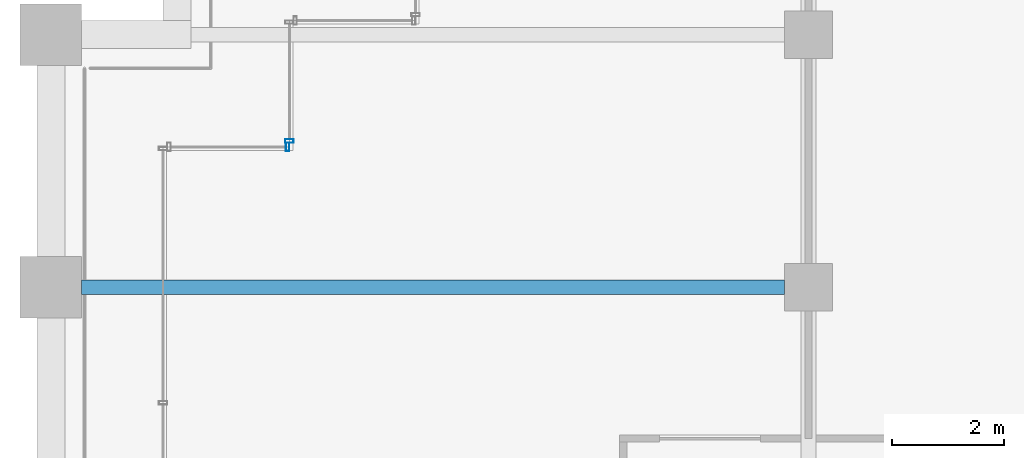
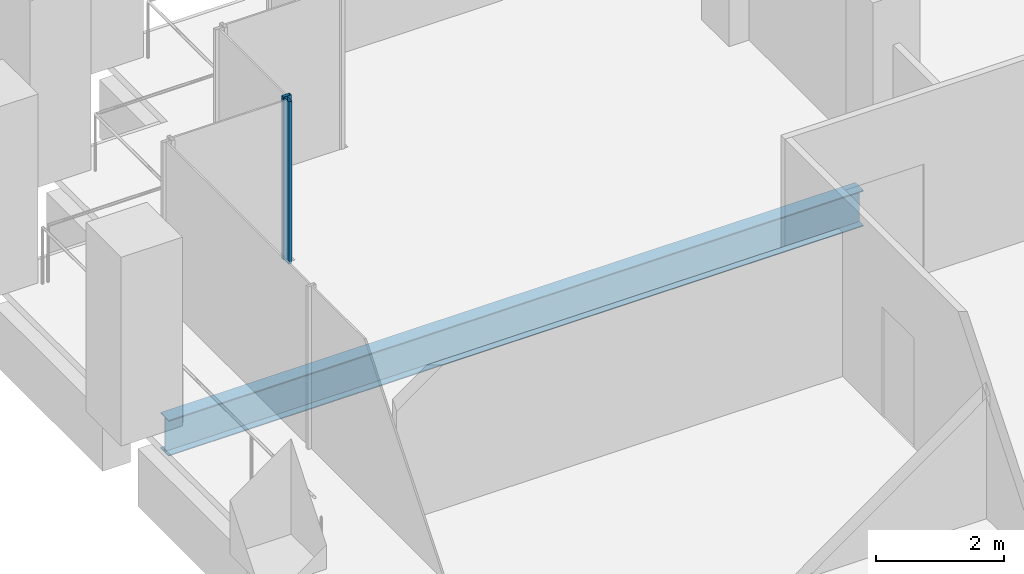
# One storey, part 24 of 56: 2 members, 1 beam, 2 elements without a shape of their own.
"""IFC4 building model written with IfcOpenShell, lengths in metres."""

from ifc_helpers import new_model, si_unit, direction, frame, origin, origin_2d, place, context, subcontext, project, spatial, hollow_rectangle, i_section, extrude, material, material_profile, profile_set, type_object, element, aggregate, save


model = new_model("IFC4")

# Units and contexts
model_context = context("Model", 3, precision=1e-05, world=origin(), true_north=direction((0.0, 1.0)))
body_context = subcontext(model_context, "Body", "Model", "MODEL_VIEW")
ifc_project = project(units=[si_unit("LENGTHUNIT", "METRE"), si_unit("AREAUNIT", "SQUARE_METRE"), si_unit("VOLUMEUNIT", "CUBIC_METRE"), si_unit("PLANEANGLEUNIT", "RADIAN"), si_unit("MASSUNIT", "GRAM", prefix="KILO")], contexts=[model_context])

# Site, building, storey
site_placement = place(None, origin())
site = spatial("IfcSite", under=ifc_project, at=site_placement, CompositionType="ELEMENT")
building_placement = place(site_placement, origin())
building = spatial("IfcBuilding", under=site, at=building_placement, Name="Altepetl Exchange Towers", CompositionType="ELEMENT")
storey_placement = place(building_placement, frame((0.0, 0.0, 72.60009765625)))
storey = spatial("IfcBuildingStorey", under=building, at=storey_placement, Name="L17", CompositionType="ELEMENT", Elevation=72.60009765625)

# Beam
ifc_material_1 = material(Name="Steel S355", Category="steel")
ifc_material_profile_1 = material_profile(ifc_material_1, i_section(OverallWidth=0.25390625, OverallDepth=0.68408203125, WebThickness=0.012451171875, FlangeThickness=0.018798828125, at=origin_2d()), Name="W27X94")
ifc_profile_set_1 = profile_set([ifc_material_profile_1], Name="Steel S355")
beam_type = type_object("IfcBeamType", Name="Floor beam W27X94", PredefinedType="BEAM", material=ifc_profile_set_1)
beam_placement = place(storey_placement, frame((27.550048828125, 63.0, -0.4921875), z_axis=(1.0, 0.0, 0.0), x_axis=(0.0, 1.0, 0.0)))
element("IfcBeam", 1, at=beam_placement, inside=storey, type_object=beam_type, Name="bm:A:L17:022", PredefinedType="BEAM", context=body_context, shape_type="SweptSolid", body=[
    extrude(i_section(OverallWidth=0.25390625, OverallDepth=0.68408203125, WebThickness=0.012451171875, FlangeThickness=0.018798828125, at=origin_2d()), origin(), (0.0, 0.0, 1.0), 12.52490234375),
])

# Curtain wall, member
ifc_material_2 = material(Name="Aluminium 6063-T6 glazing", Category="aluminium")
curtain_wall_type = type_object("IfcCurtainWallType", Name="Loggia glazing system", PredefinedType="NOTDEFINED", material=ifc_material_2)
curtain_wall_1_placement = place(storey_placement, origin())
curtain_wall_1 = element("IfcCurtainWall", 2, at=curtain_wall_1_placement, inside=storey, type_object=curtain_wall_type, Name="CW1 run", PredefinedType="NOTDEFINED")
ifc_material_3 = material(Name="Aluminium 6063-T6", Category="aluminium")
ifc_material_profile_2 = material_profile(ifc_material_3, hollow_rectangle(XDim=0.06005859375, YDim=0.14990234375, WallThickness=0.0029296875, at=origin_2d()), Name="Mullion 60x150 aluminium")
ifc_profile_set_2 = profile_set([ifc_material_profile_2], Name="Aluminium 6063-T6")
member_type = type_object("IfcMemberType", Name="Mullion 60x150 aluminium", PredefinedType="MULLION", material=ifc_profile_set_2)
member_1_placement = place(storey_placement, frame((31.219970703125, 65.5, 0.0), z_axis=(0.0, 0.0, 1.0), x_axis=(-1.0, 0.0, 0.0)))
member_1 = element("IfcMember", 3, at=member_1_placement, type_object=member_type, Name="MU1 mullion", PredefinedType="MULLION", context=body_context, shape_type="SweptSolid", body=[
    extrude(hollow_rectangle(XDim=0.06005859375, YDim=0.14990234375, WallThickness=0.0029296875, at=origin_2d()), origin(), (0.0, 0.0, 1.0), 3.099853515625),
])
aggregate(curtain_wall_1, [member_1])

curtain_wall_2_placement = place(storey_placement, origin())
curtain_wall_2 = element("IfcCurtainWall", 4, at=curtain_wall_2_placement, inside=storey, type_object=curtain_wall_type, Name="CW1 run", PredefinedType="NOTDEFINED")
member_2_placement = place(storey_placement, frame((31.25, 65.60498046875, 0.0), z_axis=(0.0, 0.0, 1.0), x_axis=(0.0, -1.0, 0.0)))
member_2 = element("IfcMember", 5, at=member_2_placement, type_object=member_type, Name="MU1 mullion", PredefinedType="MULLION", context=body_context, shape_type="SweptSolid", body=[
    extrude(hollow_rectangle(XDim=0.06005859375, YDim=0.14990234375, WallThickness=0.0029296875, at=origin_2d()), origin(), (0.0, 0.0, 1.0), 3.099853515625),
])
aggregate(curtain_wall_2, [member_2])

save(model, "model.ifc")
